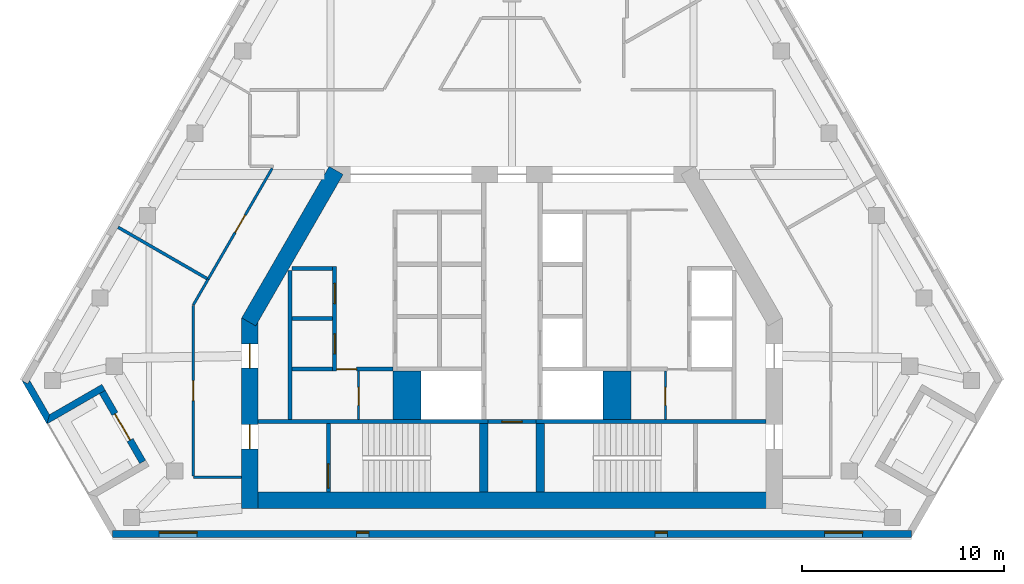
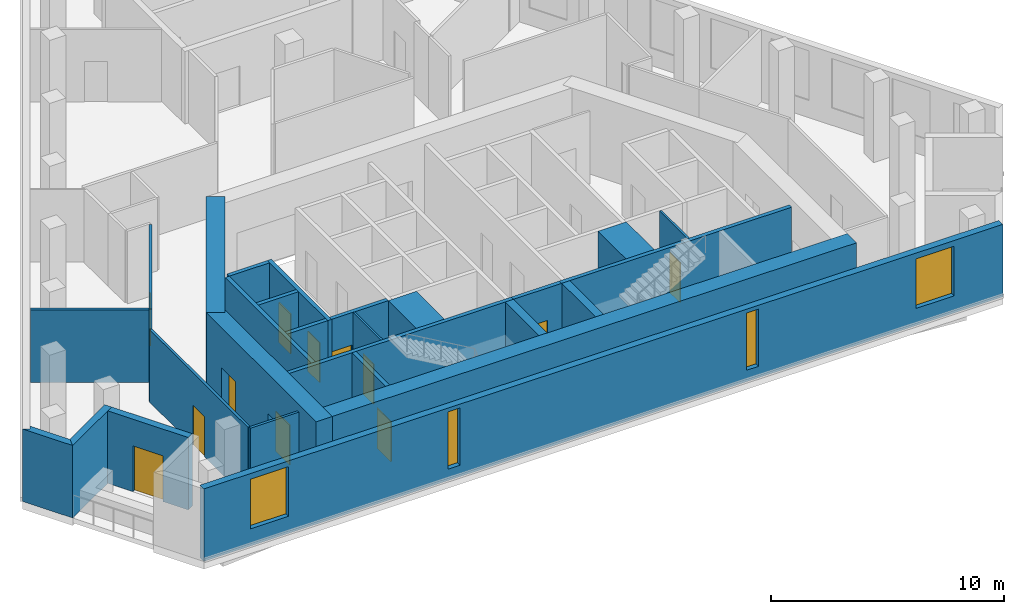
# One storey, part 2 of 8: 28 walls, 12 doors, 4 windows, 16 openings.
"""IFC4 building model written with IfcOpenShell, lengths in metres."""

from ifc_helpers import new_model, si_unit, direction, frame, frame_2d, origin, place, context, subcontext, project, spatial, polyline, rectangle, outline, extrude, material, layer, layer_set, type_object, element, fill, save


model = new_model("IFC4")

# Units and contexts
model_context = context("Model", 3, precision=1e-05, world=origin(), true_north=direction((0.0, 1.0)))
body_context = subcontext(model_context, "Body", "Model", "MODEL_VIEW")
ifc_project = project(units=[si_unit("LENGTHUNIT", "METRE"), si_unit("AREAUNIT", "SQUARE_METRE"), si_unit("VOLUMEUNIT", "CUBIC_METRE"), si_unit("PLANEANGLEUNIT", "RADIAN"), si_unit("MASSUNIT", "GRAM", prefix="KILO")], contexts=[model_context])

# Site, building, storey
site_placement = place(None, origin())
site = spatial("IfcSite", under=ifc_project, at=site_placement, CompositionType="ELEMENT")
building_placement = place(site_placement, origin())
building = spatial("IfcBuilding", under=site, at=building_placement, Name="Fogline Exchange Tower", CompositionType="ELEMENT")
storey_placement = place(building_placement, frame((0.0, 0.0, 326.699951171875)))
storey = spatial("IfcBuildingStorey", under=building, at=storey_placement, Name="L74", CompositionType="ELEMENT", Elevation=326.699951171875)

# Wall, opening, door
ifc_material_1 = material(Name="Blockwork partition", Category="masonry")
ifc_layer_1 = layer(ifc_material_1, 0.10009765625)
ifc_layer_set_1 = layer_set([ifc_layer_1], Name="CW10")
wall_type_1 = type_object("IfcWallType", Name="CW10", PredefinedType="PARTITIONING", material=ifc_layer_set_1)
wall_1_placement = place(storey_placement, frame((-7.60009765625, 5.85009765625, 0.0), z_axis=(0.0, 0.0, 1.0), x_axis=(0.0, 1.0, 0.0)))
wall_1 = element("IfcWall", 1, at=wall_1_placement, inside=storey, type_object=wall_type_1, Name="WC partition", PredefinedType="PARTITIONING", context=body_context, shape_type="SweptSolid", body=[
    extrude(rectangle(XDim=2.39990234375, YDim=0.10009765625, at=frame_2d((1.199951171875, 0.0))), origin(), (0.0, 0.0, 1.0), 3.800048828125),
])
opening_1_placement = place(wall_1_placement, frame((0.699951171875, 0.0, 0.0)))
opening_1 = element("IfcOpeningElement", 2, at=opening_1_placement, cuts=wall_1, Name="Opening T23-C013", PredefinedType="OPENING", context=body_context, shape_type="SweptSolid", body=[
    extrude(rectangle(XDim=0.89990234375, YDim=2.10009765625, at=frame_2d((0.449951171875, 1.050048828125))), frame((0.0, 0.06005859375, 0.0), z_axis=(0.0, -1.0, 0.0), x_axis=(1.0, 0.0, 0.0)), (0.0, 0.0, 1.0), 0.1201171875),
])
ifc_material_2 = material(Name="Steel and timber fire door", Category="steel")
door_type_1 = type_object("IfcDoorType", Name="D-CS1", OperationType="SINGLE_SWING_RIGHT", PredefinedType="DOOR", material=ifc_material_2)
door_1_placement = place(opening_1_placement, frame((0.89990234375, 0.0, 0.0), z_axis=(0.0, 0.0, 1.0), x_axis=(-1.0, 0.0, 0.0)))
door_1 = element("IfcDoor", 3, at=door_1_placement, inside=storey, type_object=door_type_1, Name="Door to Cleaner's Store", OperationType="SINGLE_SWING_RIGHT", OverallHeight=2.10009765625, OverallWidth=0.89990234375, PredefinedType="DOOR", context=body_context, shape_type="SweptSolid", body=[
    extrude(rectangle(XDim=0.89990234375, YDim=2.10009765625, at=frame_2d((0.449951171875, 1.050048828125))), frame((0.0, 0.02490234375, 0.0), z_axis=(0.0, -1.0, 0.0), x_axis=(1.0, 0.0, 0.0)), (0.0, 0.0, 1.0), 0.050048828125),
])
fill(opening_1, door_1)

wall_2_placement = place(storey_placement, frame((7.60009765625, 5.85009765625, 0.0), z_axis=(0.0, 0.0, 1.0), x_axis=(0.0, 1.0, 0.0)))
wall_2 = element("IfcWall", 4, at=wall_2_placement, inside=storey, type_object=wall_type_1, Name="WC partition", PredefinedType="PARTITIONING", context=body_context, shape_type="SweptSolid", body=[
    extrude(rectangle(XDim=2.39990234375, YDim=0.10009765625, at=frame_2d((1.199951171875, 0.0))), origin(), (0.0, 0.0, 1.0), 3.800048828125),
])
opening_2_placement = place(wall_2_placement, frame((0.699951171875, 0.0, 0.0)))
opening_2 = element("IfcOpeningElement", 5, at=opening_2_placement, cuts=wall_2, Name="Opening T23-C019", PredefinedType="OPENING", context=body_context, shape_type="SweptSolid", body=[
    extrude(rectangle(XDim=0.89990234375, YDim=2.10009765625, at=frame_2d((0.449951171875, 1.050048828125))), frame((0.0, 0.06005859375, 0.0), z_axis=(0.0, -1.0, 0.0), x_axis=(1.0, 0.0, 0.0)), (0.0, 0.0, 1.0), 0.1201171875),
])
door_2_placement = place(opening_2_placement, origin())
door_2 = element("IfcDoor", 6, at=door_2_placement, inside=storey, type_object=door_type_1, Name="Door to Cleaner's Store", OperationType="SINGLE_SWING_LEFT", OverallHeight=2.10009765625, OverallWidth=0.89990234375, PredefinedType="DOOR", context=body_context, shape_type="SweptSolid", body=[
    extrude(rectangle(XDim=0.89990234375, YDim=2.10009765625, at=frame_2d((0.449951171875, 1.050048828125))), frame((0.0, 0.02490234375, 0.0), z_axis=(0.0, -1.0, 0.0), x_axis=(1.0, 0.0, 0.0)), (0.0, 0.0, 1.0), 0.050048828125),
])
fill(opening_2, door_2)

# Walls
ifc_material_3 = material(Name="Concrete C60", Category="concrete")
ifc_layer_2 = layer(ifc_material_3, 1.39990234375)
ifc_layer_set_2 = layer_set([ifc_layer_2], Name="CW140")
wall_type_2 = type_object("IfcWallType", Name="CW140", PredefinedType="SOLIDWALL", material=ifc_layer_set_2)
for number, where, z_axis, x_axis, name in (
    (7, (-5.199951171875, 5.85009765625, -0.39990234375), (0.0, 0.0, 1.0), (0.0, 1.0, 0.0), "Lift shaft block wall"),
    (8, (5.199951171875, 5.85009765625, -0.39990234375), (0.0, 0.0, 1.0), (0.0, 1.0, 0.0), "Lift shaft block wall"),
):
    element("IfcWall", number, at=place(storey_placement, frame(where, z_axis=z_axis, x_axis=x_axis)), inside=storey, type_object=wall_type_2, Name=name, PredefinedType="SOLIDWALL", context=body_context, shape_type="SweptSolid", body=[
        extrude(rectangle(XDim=2.39990234375, YDim=1.39990234375, at=frame_2d((1.199951171875, 0.0))), origin(), (0.0, 0.0, 1.0), 4.199951171875),
    ])
ifc_material_4 = material(Name="Concrete C40", Category="concrete")
ifc_layer_3 = layer(ifc_material_4, 0.199951171875)
ifc_layer_set_3 = layer_set([ifc_layer_3], Name="CW20")
wall_type_3 = type_object("IfcWallType", Name="CW20", PredefinedType="SOLIDWALL", material=ifc_layer_set_3)
wall_3_placement = place(storey_placement, frame((-11.0, 5.85009765625, 0.0), z_axis=(0.0, 0.0, 1.0), x_axis=(0.0, 1.0, 0.0)))
element("IfcWall", 9, at=wall_3_placement, inside=storey, type_object=wall_type_3, Name="Service room wall", PredefinedType="SOLIDWALL", context=body_context, shape_type="SweptSolid", body=[
    extrude(rectangle(XDim=7.39990234375, YDim=0.199951171875, at=frame_2d((3.699951171875, 0.0))), origin(), (0.0, 0.0, 1.0), 3.800048828125),
])
wall_4_placement = place(storey_placement, frame((-10.89990234375, 10.85009765625, 0.0), z_axis=(0.0, 0.0, 1.0), x_axis=(1.0, 0.0, 0.0)))
element("IfcWall", 10, at=wall_4_placement, inside=storey, type_object=wall_type_3, Name="Service room wall", PredefinedType="SOLIDWALL", context=body_context, shape_type="SweptSolid", body=[
    extrude(rectangle(XDim=2.0, YDim=0.199951171875, at=frame_2d((1.0, 0.0))), origin(), (0.0, 0.0, 1.0), 3.800048828125),
])

# Wall, opening, door
wall_5_placement = place(storey_placement, frame((-8.699951171875, 8.35009765625, 0.0), z_axis=(0.0, 0.0, 1.0), x_axis=(1.0, 0.0, 0.0)))
wall_5 = element("IfcWall", 11, at=wall_5_placement, inside=storey, type_object=wall_type_3, Name="WC wall", PredefinedType="SOLIDWALL", context=body_context, shape_type="SweptSolid", body=[
    extrude(rectangle(XDim=2.800048828125, YDim=0.199951171875, at=frame_2d((1.39990234375, 0.0))), origin(), (0.0, 0.0, 1.0), 3.800048828125),
])
opening_3_placement = place(wall_5_placement, origin())
opening_3 = element("IfcOpeningElement", 12, at=opening_3_placement, cuts=wall_5, Name="Opening T23-C012", PredefinedType="OPENING", context=body_context, shape_type="SweptSolid", body=[
    extrude(rectangle(XDim=1.0, YDim=2.10009765625, at=frame_2d((0.5, 1.050048828125))), frame((0.0, 0.10986328125, 0.0), z_axis=(0.0, -1.0, 0.0), x_axis=(1.0, 0.0, 0.0)), (0.0, 0.0, 1.0), 0.219970703125),
])
door_type_2 = type_object("IfcDoorType", Name="D-WC1", OperationType="SINGLE_SWING_LEFT", PredefinedType="DOOR", material=ifc_material_2)
door_3_placement = place(opening_3_placement, frame((1.0, 0.0, 0.0), z_axis=(0.0, 0.0, 1.0), x_axis=(-1.0, 0.0, 0.0)))
door_3 = element("IfcDoor", 13, at=door_3_placement, inside=storey, type_object=door_type_2, Name="Door to Men's WC", OperationType="SINGLE_SWING_LEFT", OverallHeight=2.10009765625, OverallWidth=1.0, PredefinedType="DOOR", context=body_context, shape_type="SweptSolid", body=[
    extrude(rectangle(XDim=1.0, YDim=2.10009765625, at=frame_2d((0.5, 1.050048828125))), frame((0.0, 0.02490234375, 0.0), z_axis=(0.0, -1.0, 0.0), x_axis=(1.0, 0.0, 0.0)), (0.0, 0.0, 1.0), 0.050048828125),
])
fill(opening_3, door_3)

# Wall
ifc_layer_4 = layer(ifc_material_4, 0.199951171875)
ifc_layer_set_4 = layer_set([ifc_layer_4], Name="CW20R")
wall_type_4 = type_object("IfcWallType", Name="CW20R", PredefinedType="SOLIDWALL", material=ifc_layer_set_4)
wall_6_placement = place(storey_placement, frame((-12.60009765625, 5.75, -0.39990234375), z_axis=(0.0, 0.0, 1.0), x_axis=(1.0, 0.0, 0.0)))
element("IfcWall", 14, at=wall_6_placement, inside=storey, type_object=wall_type_4, Name="Stair enclosure wall", PredefinedType="SOLIDWALL", context=body_context, shape_type="SweptSolid", body=[
    extrude(rectangle(XDim=11.400146484375, YDim=0.199951171875, at=frame_2d((5.7001953125, 0.0))), origin(), (0.0, 0.0, 1.0), 4.199951171875),
])

# Wall, opening, door
wall_7_placement = place(storey_placement, frame((-1.199951171875, 5.75, -0.39990234375), z_axis=(0.0, 0.0, 1.0), x_axis=(1.0, 0.0, 0.0)))
wall_7 = element("IfcWall", 15, at=wall_7_placement, inside=storey, type_object=wall_type_4, Name="Stair enclosure wall", PredefinedType="SOLIDWALL", context=body_context, shape_type="SweptSolid", body=[
    extrude(rectangle(XDim=2.39990234375, YDim=0.199951171875, at=frame_2d((1.199951171875, 0.0))), origin(), (0.0, 0.0, 1.0), 4.199951171875),
])
opening_4_placement = place(wall_7_placement, frame((0.699951171875, 0.0, 0.39990234375)))
opening_4 = element("IfcOpeningElement", 16, at=opening_4_placement, cuts=wall_7, Name="Opening T23-C011", PredefinedType="OPENING", context=body_context, shape_type="SweptSolid", body=[
    extrude(rectangle(XDim=1.0, YDim=2.10009765625, at=frame_2d((0.5, 1.050048828125))), frame((0.0, 0.10986328125, 0.0), z_axis=(0.0, -1.0, 0.0), x_axis=(1.0, 0.0, 0.0)), (0.0, 0.0, 1.0), 0.219970703125),
])
door_type_3 = type_object("IfcDoorType", Name="D-RM1", OperationType="SINGLE_SWING_LEFT", PredefinedType="DOOR", material=ifc_material_2)
door_4_placement = place(opening_4_placement, frame((1.0, 0.0, 0.0), z_axis=(0.0, 0.0, 1.0), x_axis=(-1.0, 0.0, 0.0)))
door_4 = element("IfcDoor", 17, at=door_4_placement, inside=storey, type_object=door_type_3, Name="Door to Library Store", OperationType="SINGLE_SWING_RIGHT", OverallHeight=2.10009765625, OverallWidth=1.0, PredefinedType="DOOR", context=body_context, shape_type="SweptSolid", body=[
    extrude(rectangle(XDim=1.0, YDim=2.10009765625, at=frame_2d((0.5, 1.050048828125))), frame((0.0, 0.02490234375, 0.0), z_axis=(0.0, -1.0, 0.0), x_axis=(1.0, 0.0, 0.0)), (0.0, 0.0, 1.0), 0.050048828125),
])
fill(opening_4, door_4)

# Wall
wall_8_placement = place(storey_placement, frame((1.199951171875, 5.75, -0.39990234375), z_axis=(0.0, 0.0, 1.0), x_axis=(1.0, 0.0, 0.0)))
element("IfcWall", 18, at=wall_8_placement, inside=storey, type_object=wall_type_4, Name="Stair enclosure wall", PredefinedType="SOLIDWALL", context=body_context, shape_type="SweptSolid", body=[
    extrude(rectangle(XDim=11.400146484375, YDim=0.199951171875, at=frame_2d((5.7001953125, 0.0))), origin(), (0.0, 0.0, 1.0), 4.199951171875),
])

# Wall, opening, door
wall_9_placement = place(storey_placement, frame((-9.10009765625, 2.25, -0.39990234375), z_axis=(0.0, 0.0, 1.0), x_axis=(0.0, 1.0, 0.0)))
wall_9 = element("IfcWall", 19, at=wall_9_placement, inside=storey, type_object=wall_type_4, Name="Stair enclosure wall", PredefinedType="SOLIDWALL", context=body_context, shape_type="SweptSolid", body=[
    extrude(rectangle(XDim=3.39990234375, YDim=0.199951171875, at=frame_2d((1.699951171875, 0.0))), origin(), (0.0, 0.0, 1.0), 4.199951171875),
])
opening_5_placement = place(wall_9_placement, frame((0.199951171875, 0.0, 0.39990234375)))
opening_5 = element("IfcOpeningElement", 20, at=opening_5_placement, cuts=wall_9, Name="Opening T23-C015", PredefinedType="OPENING", context=body_context, shape_type="SweptSolid", body=[
    extrude(rectangle(XDim=1.199951171875, YDim=2.10009765625, at=frame_2d((0.60009765625, 1.050048828125))), frame((0.0, 0.10986328125, 0.0), z_axis=(0.0, -1.0, 0.0), x_axis=(1.0, 0.0, 0.0)), (0.0, 0.0, 1.0), 0.219970703125),
])
door_type_4 = type_object("IfcDoorType", Name="D-ST1", OperationType="SINGLE_SWING_LEFT", PredefinedType="DOOR", material=ifc_material_2)
door_5_placement = place(opening_5_placement, frame((1.199951171875, 0.0, 0.0), z_axis=(0.0, 0.0, 1.0), x_axis=(-1.0, 0.0, 0.0)))
door_5 = element("IfcDoor", 21, at=door_5_placement, inside=storey, type_object=door_type_4, Name="Stair door ST1", OperationType="SINGLE_SWING_RIGHT", OverallHeight=2.10009765625, OverallWidth=1.199951171875, PredefinedType="DOOR", context=body_context, shape_type="SweptSolid", body=[
    extrude(rectangle(XDim=1.199951171875, YDim=2.10009765625, at=frame_2d((0.60009765625, 1.050048828125))), frame((0.0, 0.02490234375, 0.0), z_axis=(0.0, -1.0, 0.0), x_axis=(1.0, 0.0, 0.0)), (0.0, 0.0, 1.0), 0.050048828125),
])
fill(opening_5, door_5)

# Wall, openings, doors
ifc_layer_5 = layer(ifc_material_4, 0.199951171875)
ifc_layer_set_5 = layer_set([ifc_layer_5], Name="CW20S")
wall_type_5 = type_object("IfcWallType", Name="CW20S", PredefinedType="SOLIDWALL", material=ifc_layer_set_5)
wall_10_placement = place(storey_placement, frame((-8.800048828125, 8.25, -0.39990234375), z_axis=(0.0, 0.0, 1.0), x_axis=(0.0, 1.0, 0.0)))
wall_10 = element("IfcWall", 22, at=wall_10_placement, inside=storey, type_object=wall_type_5, Name="Lift shaft wall", PredefinedType="SOLIDWALL", context=body_context, shape_type="SweptSolid", body=[
    extrude(rectangle(XDim=5.199951171875, YDim=0.199951171875, at=frame_2d((2.60009765625, 0.0))), origin(), (0.0, 0.0, 1.0), 4.199951171875),
])
opening_6_placement = place(wall_10_placement, frame((0.85009765625, 0.0, 0.39990234375)))
opening_6 = element("IfcOpeningElement", 23, at=opening_6_placement, cuts=wall_10, Name="Opening T23-C001", PredefinedType="OPENING", context=body_context, shape_type="SweptSolid", body=[
    extrude(rectangle(XDim=1.0, YDim=2.10009765625, at=frame_2d((0.5, 1.050048828125))), frame((0.0, 0.10986328125, 0.0), z_axis=(0.0, -1.0, 0.0), x_axis=(1.0, 0.0, 0.0)), (0.0, 0.0, 1.0), 0.219970703125),
])
opening_7_placement = place(wall_10_placement, frame((3.35009765625, 0.0, 0.39990234375)))
opening_7 = element("IfcOpeningElement", 24, at=opening_7_placement, cuts=wall_10, Name="Opening T23-C002", PredefinedType="OPENING", context=body_context, shape_type="SweptSolid", body=[
    extrude(rectangle(XDim=1.0, YDim=2.10009765625, at=frame_2d((0.5, 1.050048828125))), frame((0.0, 0.10986328125, 0.0), z_axis=(0.0, -1.0, 0.0), x_axis=(1.0, 0.0, 0.0)), (0.0, 0.0, 1.0), 0.219970703125),
])
door_6_placement = place(opening_6_placement, origin())
door_6 = element("IfcDoor", 25, at=door_6_placement, inside=storey, type_object=door_type_3, Name="Door to Riser Room", OperationType="SINGLE_SWING_RIGHT", OverallHeight=2.10009765625, OverallWidth=1.0, PredefinedType="DOOR", context=body_context, shape_type="SweptSolid", body=[
    extrude(rectangle(XDim=1.0, YDim=2.10009765625, at=frame_2d((0.5, 1.050048828125))), frame((0.0, 0.02490234375, 0.0), z_axis=(0.0, -1.0, 0.0), x_axis=(1.0, 0.0, 0.0)), (0.0, 0.0, 1.0), 0.050048828125),
])
fill(opening_6, door_6)
door_7_placement = place(opening_7_placement, origin())
door_7 = element("IfcDoor", 26, at=door_7_placement, inside=storey, type_object=door_type_3, Name="Door to Plant Room", OperationType="SINGLE_SWING_RIGHT", OverallHeight=2.10009765625, OverallWidth=1.0, PredefinedType="DOOR", context=body_context, shape_type="SweptSolid", body=[
    extrude(rectangle(XDim=1.0, YDim=2.10009765625, at=frame_2d((0.5, 1.050048828125))), frame((0.0, 0.02490234375, 0.0), z_axis=(0.0, -1.0, 0.0), x_axis=(1.0, 0.0, 0.0)), (0.0, 0.0, 1.0), 0.050048828125),
])
fill(opening_7, door_7)

# Walls
for number, where, z_axis, x_axis, name in (
    (27, (-10.89990234375, 8.35009765625, -0.39990234375), (0.0, 0.0, 1.0), (1.0, 0.0, 0.0), "Lift shaft wall"),
    (28, (-10.89990234375, 13.35009765625, -0.39990234375), (0.0, 0.0, 1.0), (1.0, 0.0, 0.0), "Lift shaft wall"),
):
    element("IfcWall", number, at=place(storey_placement, frame(where, z_axis=z_axis, x_axis=x_axis)), inside=storey, type_object=wall_type_5, Name=name, PredefinedType="SOLIDWALL", context=body_context, shape_type="SweptSolid", body=[
        extrude(rectangle(XDim=2.0, YDim=0.199951171875, at=frame_2d((1.0, 0.0))), origin(), (0.0, 0.0, 1.0), 4.199951171875),
    ])
ifc_layer_6 = layer(ifc_material_4, 0.39990234375)
ifc_layer_set_6 = layer_set([ifc_layer_6], Name="CW40R")
wall_type_6 = type_object("IfcWallType", Name="CW40R", PredefinedType="SOLIDWALL", material=ifc_layer_set_6)
for number, where, z_axis, x_axis, name in (
    (29, (-1.39990234375, 2.25, -0.39990234375), (0.0, 0.0, 1.0), (0.0, 1.0, 0.0), "Stair and lift shaft wall"),
    (30, (1.39990234375, 2.25, -0.39990234375), (0.0, 0.0, 1.0), (0.0, 1.0, 0.0), "Stair and lift shaft wall"),
):
    element("IfcWall", number, at=place(storey_placement, frame(where, z_axis=z_axis, x_axis=x_axis)), inside=storey, type_object=wall_type_6, Name=name, PredefinedType="SOLIDWALL", context=body_context, shape_type="SweptSolid", body=[
        extrude(rectangle(XDim=3.39990234375, YDim=0.39990234375, at=frame_2d((1.699951171875, 0.0))), origin(), (0.0, 0.0, 1.0), 4.199951171875),
    ])
ifc_material_5 = material(Name="Brick masonry", Category="masonry")
ifc_layer_7 = layer(ifc_material_5, 0.340087890625)
ifc_layer_set_7 = layer_set([ifc_layer_7], Name="FW1")
wall_type_7 = type_object("IfcWallType", Name="FW1", PredefinedType="SOLIDWALL", material=ifc_layer_set_7)
wall_11_placement = place(storey_placement, origin())
element("IfcWall", 31, at=wall_11_placement, inside=storey, type_object=wall_type_7, Name="Brick wall L74 SW-c1", PredefinedType="SOLIDWALL", context=body_context, shape_type="SweptSolid", body=[
    extrude(outline(polyline([(-23.057373046875, 5.6279296875), (-24.308349609375, 7.794921875), (-24.30810546875, 7.79541015625), (-24.01318359375, 7.625), (-23.914794921875, 7.79541015625), (-22.932373046875, 6.09375), (-23.05712890625, 5.6279296875), (-23.057373046875, 5.6279296875)])), origin(), (0.0, 0.0, 1.0), 3.800048828125),
])
wall_12_placement = place(storey_placement, origin())
element("IfcWall", 32, at=wall_12_placement, inside=storey, type_object=wall_type_7, Name="Brick wall L74 SW-s1", PredefinedType="SOLIDWALL", context=body_context, shape_type="SweptSolid", body=[
    extrude(outline(polyline([(-20.334716796875, 7.594482421875), (-20.1640625, 7.298828125), (-20.458984375, 7.128662109375), (-23.05810546875, 5.628173828125), (-23.058349609375, 5.62841796875), (-22.933349609375, 6.093994140625), (-20.334716796875, 7.594482421875)])), origin(), (0.0, 0.0, 1.0), 3.800048828125),
])

# Wall, opening, door
wall_13_placement = place(storey_placement, frame((-20.31201171875, 7.214111328125, 0.0), z_axis=(0.0, 0.0, 1.0), x_axis=(0.49999894854, -0.866026010844, 0.0)))
wall_13 = element("IfcWall", 33, at=wall_13_placement, inside=storey, type_object=wall_type_7, Name="Brick wall L74 SW-bk", PredefinedType="SOLIDWALL", context=body_context, shape_type="SweptSolid", body=[
    extrude(rectangle(XDim=4.0, YDim=0.340087890625, at=frame_2d((2.0, 0.0))), origin(), (0.0, 0.0, 1.0), 3.800048828125),
])
opening_8_placement = place(wall_13_placement, frame((1.25, 0.0, 0.0)))
opening_8 = element("IfcOpeningElement", 34, at=opening_8_placement, cuts=wall_13, Name="Opening T23-E021", PredefinedType="OPENING", context=body_context, shape_type="SweptSolid", body=[
    extrude(rectangle(XDim=1.5, YDim=2.39990234375, at=frame_2d((0.75, 1.199951171875))), frame((0.0, 0.18017578125, 0.0), z_axis=(0.0, -1.0, 0.0), x_axis=(1.0, 0.0, 0.0)), (0.0, 0.0, 1.0), 0.360107421875),
])
ifc_material_6 = material(Name="Aluminium and glass", Category="aluminium")
door_type_5 = type_object("IfcDoorType", Name="ED4", OperationType="SINGLE_SWING_LEFT", PredefinedType="DOOR", material=ifc_material_6)
door_8_placement = place(opening_8_placement, frame((1.5, 0.0, 0.0), z_axis=(0.0, 0.0, 1.0), x_axis=(-1.0, 0.0, 0.0)))
door_8 = element("IfcDoor", 35, at=door_8_placement, inside=storey, type_object=door_type_5, Name="Balcony door L74 SW", OperationType="DOUBLE_DOOR_SINGLE_SWING", OverallHeight=2.39990234375, OverallWidth=1.5, PredefinedType="DOOR", context=body_context, shape_type="SweptSolid", body=[
    extrude(rectangle(XDim=1.5, YDim=2.39990234375, at=frame_2d((0.75, 1.199951171875))), frame((0.0, 0.02490234375, 0.0), z_axis=(0.0, -1.0, 0.0), x_axis=(1.0, 0.0, 0.0)), (0.0, 0.0, 1.0), 0.050048828125),
])
fill(opening_8, door_8)

# Wall, openings, windows
wall_14_placement = place(storey_placement, frame((-19.807373046875, 0.169921875, 0.0), z_axis=(0.0, 0.0, 1.0), x_axis=(1.0, 0.0, 0.0)))
wall_14 = element("IfcWall", 36, at=wall_14_placement, inside=storey, type_object=wall_type_7, Name="Brick wall L74 S", PredefinedType="SOLIDWALL", context=body_context, shape_type="SweptSolid", body=[
    extrude(rectangle(XDim=39.61474609375, YDim=0.340087890625, at=frame_2d((19.807373046875, 0.0))), origin(), (0.0, 0.0, 1.0), 3.800048828125),
])
opening_9_placement = place(wall_14_placement, frame((2.307373046875, 0.0, 0.89990234375)))
opening_9 = element("IfcOpeningElement", 37, at=opening_9_placement, cuts=wall_14, Name="Opening W3", PredefinedType="OPENING", context=body_context, shape_type="SweptSolid", body=[
    extrude(rectangle(XDim=1.885009765625, YDim=2.60009765625, at=frame_2d((0.9423828125, 1.300048828125))), frame((0.0, 0.18017578125, 0.0), z_axis=(0.0, -1.0, 0.0), x_axis=(1.0, 0.0, 0.0)), (0.0, 0.0, 1.0), 0.360107421875),
])
opening_10_placement = place(wall_14_placement, frame((35.307373046875, 0.0, 0.89990234375)))
opening_10 = element("IfcOpeningElement", 38, at=opening_10_placement, cuts=wall_14, Name="Opening W3", PredefinedType="OPENING", context=body_context, shape_type="SweptSolid", body=[
    extrude(rectangle(XDim=1.885009765625, YDim=2.60009765625, at=frame_2d((0.9423828125, 1.300048828125))), frame((0.0, 0.18017578125, 0.0), z_axis=(0.0, -1.0, 0.0), x_axis=(1.0, 0.0, 0.0)), (0.0, 0.0, 1.0), 0.360107421875),
])
opening_11_placement = place(wall_14_placement, frame((12.107421875, 0.0, 0.60009765625)))
opening_11 = element("IfcOpeningElement", 39, at=opening_11_placement, cuts=wall_14, Name="Opening W5", PredefinedType="OPENING", context=body_context, shape_type="SweptSolid", body=[
    extrude(rectangle(XDim=0.60009765625, YDim=3.0, at=frame_2d((0.300048828125, 1.5))), frame((0.0, 0.18017578125, 0.0), z_axis=(0.0, -1.0, 0.0), x_axis=(1.0, 0.0, 0.0)), (0.0, 0.0, 1.0), 0.360107421875),
])
opening_12_placement = place(wall_14_placement, frame((26.907470703125, 0.0, 0.60009765625)))
opening_12 = element("IfcOpeningElement", 40, at=opening_12_placement, cuts=wall_14, Name="Opening W5", PredefinedType="OPENING", context=body_context, shape_type="SweptSolid", body=[
    extrude(rectangle(XDim=0.60009765625, YDim=3.0, at=frame_2d((0.300048828125, 1.5))), frame((0.0, 0.18017578125, 0.0), z_axis=(0.0, -1.0, 0.0), x_axis=(1.0, 0.0, 0.0)), (0.0, 0.0, 1.0), 0.360107421875),
])
window_type_1 = type_object("IfcWindowType", Name="W3", PartitioningType="SINGLE_PANEL", PredefinedType="WINDOW", material=ifc_material_6)
window_1_placement = place(opening_9_placement, origin())
window_1 = element("IfcWindow", 41, at=window_1_placement, inside=storey, type_object=window_type_1, Name="W3 W3", OverallHeight=2.60009765625, OverallWidth=1.885009765625, PartitioningType="SINGLE_PANEL", PredefinedType="WINDOW", context=body_context, shape_type="SweptSolid", body=[
    extrude(rectangle(XDim=1.885009765625, YDim=2.60009765625, at=frame_2d((0.9423828125, 1.300048828125))), frame((0.0, 0.110107421875, 0.0), z_axis=(0.0, -1.0, 0.0), x_axis=(1.0, 0.0, 0.0)), (0.0, 0.0, 1.0), 0.06005859375),
])
fill(opening_9, window_1)
window_2_placement = place(opening_10_placement, origin())
window_2 = element("IfcWindow", 42, at=window_2_placement, inside=storey, type_object=window_type_1, Name="W3 W3", OverallHeight=2.60009765625, OverallWidth=1.885009765625, PartitioningType="SINGLE_PANEL", PredefinedType="WINDOW", context=body_context, shape_type="SweptSolid", body=[
    extrude(rectangle(XDim=1.885009765625, YDim=2.60009765625, at=frame_2d((0.9423828125, 1.300048828125))), frame((0.0, 0.110107421875, 0.0), z_axis=(0.0, -1.0, 0.0), x_axis=(1.0, 0.0, 0.0)), (0.0, 0.0, 1.0), 0.06005859375),
])
fill(opening_10, window_2)
window_type_2 = type_object("IfcWindowType", Name="W5", PartitioningType="SINGLE_PANEL", PredefinedType="WINDOW", material=ifc_material_6)
window_3_placement = place(opening_11_placement, origin())
window_3 = element("IfcWindow", 43, at=window_3_placement, inside=storey, type_object=window_type_2, Name="W5 W5", OverallHeight=3.0, OverallWidth=0.60009765625, PartitioningType="SINGLE_PANEL", PredefinedType="WINDOW", context=body_context, shape_type="SweptSolid", body=[
    extrude(rectangle(XDim=0.60009765625, YDim=3.0, at=frame_2d((0.300048828125, 1.5))), frame((0.0, 0.110107421875, 0.0), z_axis=(0.0, -1.0, 0.0), x_axis=(1.0, 0.0, 0.0)), (0.0, 0.0, 1.0), 0.06005859375),
])
fill(opening_11, window_3)
window_4_placement = place(opening_12_placement, origin())
window_4 = element("IfcWindow", 44, at=window_4_placement, inside=storey, type_object=window_type_2, Name="W5 W5", OverallHeight=3.0, OverallWidth=0.60009765625, PartitioningType="SINGLE_PANEL", PredefinedType="WINDOW", context=body_context, shape_type="SweptSolid", body=[
    extrude(rectangle(XDim=0.60009765625, YDim=3.0, at=frame_2d((0.300048828125, 1.5))), frame((0.0, 0.110107421875, 0.0), z_axis=(0.0, -1.0, 0.0), x_axis=(1.0, 0.0, 0.0)), (0.0, 0.0, 1.0), 0.06005859375),
])
fill(opening_12, window_4)

# Wall, opening, door
ifc_material_7 = material(Name="Plasterboard corridor partition with mineral wool, 2 layers each side")
ifc_layer_8 = layer(ifc_material_7, 0.125)
ifc_layer_set_8 = layer_set([ifc_layer_8], Name="PW2")
wall_type_8 = type_object("IfcWallType", Name="PW2", PredefinedType="PARTITIONING", material=ifc_layer_set_8)
wall_15_placement = place(storey_placement, frame((-15.06591796875, 12.80615234375, 0.0), z_axis=(0.0, 0.0, 1.0), x_axis=(0.499972045304, 0.866041542834, 0.0)))
wall_15 = element("IfcWall", 45, at=wall_15_placement, inside=storey, type_object=wall_type_8, Name="wall-L74-W014", PredefinedType="PARTITIONING", context=body_context, shape_type="SweptSolid", body=[
    extrude(rectangle(XDim=6.350341796875, YDim=0.125, at=frame_2d((3.17529296875, 0.0))), origin(), (0.0, 0.0, 1.0), 3.800048828125),
])
opening_13_placement = place(wall_15_placement, frame((2.67529296875, 0.0, 0.0)))
opening_13 = element("IfcOpeningElement", 46, at=opening_13_placement, cuts=wall_15, Name="Opening T23-D004", PredefinedType="OPENING", context=body_context, shape_type="SweptSolid", body=[
    extrude(rectangle(XDim=1.0, YDim=2.10009765625, at=frame_2d((0.5, 1.050048828125))), frame((0.0, 0.072509765625, 0.0), z_axis=(0.0, -1.0, 0.0), x_axis=(1.0, 0.0, 0.0)), (0.0, 0.0, 1.0), 0.14501953125),
])
ifc_material_8 = material(Name="Fire-rated timber door leaf with steel frame", Category="steel")
door_type_6 = type_object("IfcDoorType", Name="D3", OperationType="SINGLE_SWING_LEFT", PredefinedType="DOOR", material=ifc_material_8)
door_9_placement = place(opening_13_placement, origin())
door_9 = element("IfcDoor", 47, at=door_9_placement, inside=storey, type_object=door_type_6, Name="door-L74-D004", OperationType="SINGLE_SWING_LEFT", OverallHeight=2.10009765625, OverallWidth=1.0, PredefinedType="DOOR", context=body_context, shape_type="SweptSolid", body=[
    extrude(rectangle(XDim=1.0, YDim=2.10009765625, at=frame_2d((0.5, 1.050048828125))), frame((0.0, 0.02490234375, 0.0), z_axis=(0.0, -1.0, 0.0), x_axis=(1.0, 0.0, 0.0)), (0.0, 0.0, 1.0), 0.050048828125),
])
fill(opening_13, door_9)

# Wall
wall_16_placement = place(storey_placement, frame((-13.39990234375, 3.0, 0.0), z_axis=(0.0, 0.0, 1.0), x_axis=(-1.0, 0.0, 0.0)))
element("IfcWall", 48, at=wall_16_placement, inside=storey, type_object=wall_type_8, Name="wall-L74-W015", PredefinedType="PARTITIONING", context=body_context, shape_type="SweptSolid", body=[
    extrude(rectangle(XDim=2.400146484375, YDim=0.125, at=frame_2d((1.2001953125, 0.0))), origin(), (0.0, 0.0, 1.0), 3.800048828125),
])

# Wall, opening, door
wall_17_placement = place(storey_placement, frame((-15.800048828125, 3.0625, 0.0), z_axis=(0.0, 0.0, 1.0), x_axis=(0.0, 1.0, 0.0)))
wall_17 = element("IfcWall", 49, at=wall_17_placement, inside=storey, type_object=wall_type_8, Name="wall-L74-W016", PredefinedType="PARTITIONING", context=body_context, shape_type="SweptSolid", body=[
    extrude(rectangle(XDim=8.44140625, YDim=0.125, at=frame_2d((4.220703125, 0.0))), origin(), (0.0, 0.0, 1.0), 3.800048828125),
])
opening_14_placement = place(wall_17_placement, frame((3.720703125, 0.0, 0.0)))
opening_14 = element("IfcOpeningElement", 50, at=opening_14_placement, cuts=wall_17, Name="Opening T23-D005", PredefinedType="OPENING", context=body_context, shape_type="SweptSolid", body=[
    extrude(rectangle(XDim=1.0, YDim=2.10009765625, at=frame_2d((0.5, 1.050048828125))), frame((0.0, 0.072509765625, 0.0), z_axis=(0.0, -1.0, 0.0), x_axis=(1.0, 0.0, 0.0)), (0.0, 0.0, 1.0), 0.14501953125),
])
door_10_placement = place(opening_14_placement, origin())
door_10 = element("IfcDoor", 51, at=door_10_placement, inside=storey, type_object=door_type_6, Name="door-L74-D005", OperationType="SINGLE_SWING_LEFT", OverallHeight=2.10009765625, OverallWidth=1.0, PredefinedType="DOOR", context=body_context, shape_type="SweptSolid", body=[
    extrude(rectangle(XDim=1.0, YDim=2.10009765625, at=frame_2d((0.5, 1.050048828125))), frame((0.0, 0.02490234375, 0.0), z_axis=(0.0, -1.0, 0.0), x_axis=(1.0, 0.0, 0.0)), (0.0, 0.0, 1.0), 0.050048828125),
])
fill(opening_14, door_10)

# Walls
wall_18_placement = place(storey_placement, frame((-15.800048828125, 11.534912109375, 0.0), z_axis=(0.0, 0.0, 1.0), x_axis=(0.500091943127, 0.865972313888, 0.0)))
element("IfcWall", 52, at=wall_18_placement, inside=storey, type_object=wall_type_8, Name="wall-L74-W017", PredefinedType="PARTITIONING", context=body_context, shape_type="SweptSolid", body=[
    extrude(rectangle(XDim=1.468017578125, YDim=0.125, at=frame_2d((0.73388671875, 0.0))), origin(), (0.0, 0.0, 1.0), 3.800048828125),
])
ifc_material_9 = material(Name="Plasterboard demising partition with mineral wool and acoustic board")
ifc_layer_9 = layer(ifc_material_9, 0.14990234375)
ifc_layer_set_9 = layer_set([ifc_layer_9], Name="PW3")
wall_type_9 = type_object("IfcWallType", Name="PW3", PredefinedType="PARTITIONING", material=ifc_layer_set_9)
wall_19_placement = place(storey_placement, frame((-15.1201171875, 12.83740234375, 0.0), z_axis=(0.0, 0.0, 1.0), x_axis=(-0.86600203994, 0.500040465182, 0.0)))
element("IfcWall", 53, at=wall_19_placement, inside=storey, type_object=wall_type_9, Name="wall-L74-W036", PredefinedType="PARTITIONING", context=body_context, shape_type="SweptSolid", body=[
    extrude(rectangle(XDim=5.0947265625, YDim=0.14990234375, at=frame_2d((2.54736328125, 0.0))), origin(), (0.0, 0.0, 1.0), 3.800048828125),
])
ifc_material_10 = material(Name="Concrete C50", Category="concrete")
ifc_layer_10 = layer(ifc_material_10, 0.800048828125)
ifc_layer_set_10 = layer_set([ifc_layer_10], Name="SW04")
wall_type_10 = type_object("IfcWallType", Name="SW04", PredefinedType="SHEAR", material=ifc_layer_set_10)
wall_20_placement = place(storey_placement, frame((-13.39990234375, 1.85009765625, 0.0), z_axis=(0.0, 0.0, 1.0), x_axis=(1.0, 0.0, 0.0)))
element("IfcWall", 54, at=wall_20_placement, inside=storey, type_object=wall_type_10, Name="L74-W901", PredefinedType="SHEAR", context=body_context, shape_type="SweptSolid", body=[
    extrude(rectangle(XDim=26.7998046875, YDim=0.800048828125, at=frame_2d((13.39990234375, 0.0))), origin(), (0.0, 0.0, 1.0), 4.199951171875),
])
wall_21_placement = place(storey_placement, frame((-8.71875, 18.199951171875, 0.0), z_axis=(0.0, 0.0, 1.0), x_axis=(-0.500015780397, -0.866016292776, 0.0)))
element("IfcWall", 55, at=wall_21_placement, inside=storey, type_object=wall_type_10, Name="L74-W905", PredefinedType="SHEAR", context=body_context, shape_type="SweptSolid", body=[
    extrude(rectangle(XDim=8.669677734375, YDim=0.800048828125, at=frame_2d((4.3349609375, 0.0))), origin(), (0.0, 0.0, 1.0), 4.199951171875),
])

# Wall, openings, doors
wall_22_placement = place(storey_placement, frame((-13.0, 10.891845703125, 0.0), z_axis=(0.0, 0.0, 1.0), x_axis=(0.0, -1.0, 0.0)))
wall_22 = element("IfcWall", 56, at=wall_22_placement, inside=storey, type_object=wall_type_10, Name="L74-W906", PredefinedType="SHEAR", context=body_context, shape_type="SweptSolid", body=[
    extrude(rectangle(XDim=9.44189453125, YDim=0.800048828125, at=frame_2d((4.720947265625, 0.0))), origin(), (0.0, 0.0, 1.0), 4.199951171875),
])
opening_15_placement = place(wall_22_placement, frame((5.291748046875, 0.0, 0.0)))
opening_15 = element("IfcOpeningElement", 57, at=opening_15_placement, cuts=wall_22, Name="Opening T23-C014", PredefinedType="OPENING", context=body_context, shape_type="SweptSolid", body=[
    extrude(rectangle(XDim=1.199951171875, YDim=2.10009765625, at=frame_2d((0.60009765625, 1.050048828125))), frame((0.0, 0.41015625, 0.0), z_axis=(0.0, -1.0, 0.0), x_axis=(1.0, 0.0, 0.0)), (0.0, 0.0, 1.0), 0.820068359375),
])
opening_16_placement = place(wall_22_placement, frame((1.291748046875, 0.0, 0.0)))
opening_16 = element("IfcOpeningElement", 58, at=opening_16_placement, cuts=wall_22, Name="Opening T23-C016", PredefinedType="OPENING", context=body_context, shape_type="SweptSolid", body=[
    extrude(rectangle(XDim=1.199951171875, YDim=2.10009765625, at=frame_2d((0.60009765625, 1.050048828125))), frame((0.0, 0.41015625, 0.0), z_axis=(0.0, -1.0, 0.0), x_axis=(1.0, 0.0, 0.0)), (0.0, 0.0, 1.0), 0.820068359375),
])
door_type_7 = type_object("IfcDoorType", Name="D-FR1", OperationType="SINGLE_SWING_RIGHT", PredefinedType="DOOR", material=ifc_material_2)
door_11_placement = place(opening_15_placement, origin())
door_11 = element("IfcDoor", 59, at=door_11_placement, inside=storey, type_object=door_type_7, Name="Front room door ST1", OperationType="SINGLE_SWING_LEFT", OverallHeight=2.10009765625, OverallWidth=1.199951171875, PredefinedType="DOOR", context=body_context, shape_type="SweptSolid", body=[
    extrude(rectangle(XDim=1.199951171875, YDim=2.10009765625, at=frame_2d((0.60009765625, 1.050048828125))), frame((0.0, 0.02490234375, 0.0), z_axis=(0.0, -1.0, 0.0), x_axis=(1.0, 0.0, 0.0)), (0.0, 0.0, 1.0), 0.050048828125),
])
fill(opening_15, door_11)
door_type_8 = type_object("IfcDoorType", Name="D-SV1", OperationType="SINGLE_SWING_LEFT", PredefinedType="DOOR", material=ifc_material_2)
door_12_placement = place(opening_16_placement, origin())
door_12 = element("IfcDoor", 60, at=door_12_placement, inside=storey, type_object=door_type_8, Name="Service door W", OperationType="SINGLE_SWING_LEFT", OverallHeight=2.10009765625, OverallWidth=1.199951171875, PredefinedType="DOOR", context=body_context, shape_type="SweptSolid", body=[
    extrude(rectangle(XDim=1.199951171875, YDim=2.10009765625, at=frame_2d((0.60009765625, 1.050048828125))), frame((0.0, 0.02490234375, 0.0), z_axis=(0.0, -1.0, 0.0), x_axis=(1.0, 0.0, 0.0)), (0.0, 0.0, 1.0), 0.050048828125),
])
fill(opening_16, door_12)

save(model, "model.ifc")
